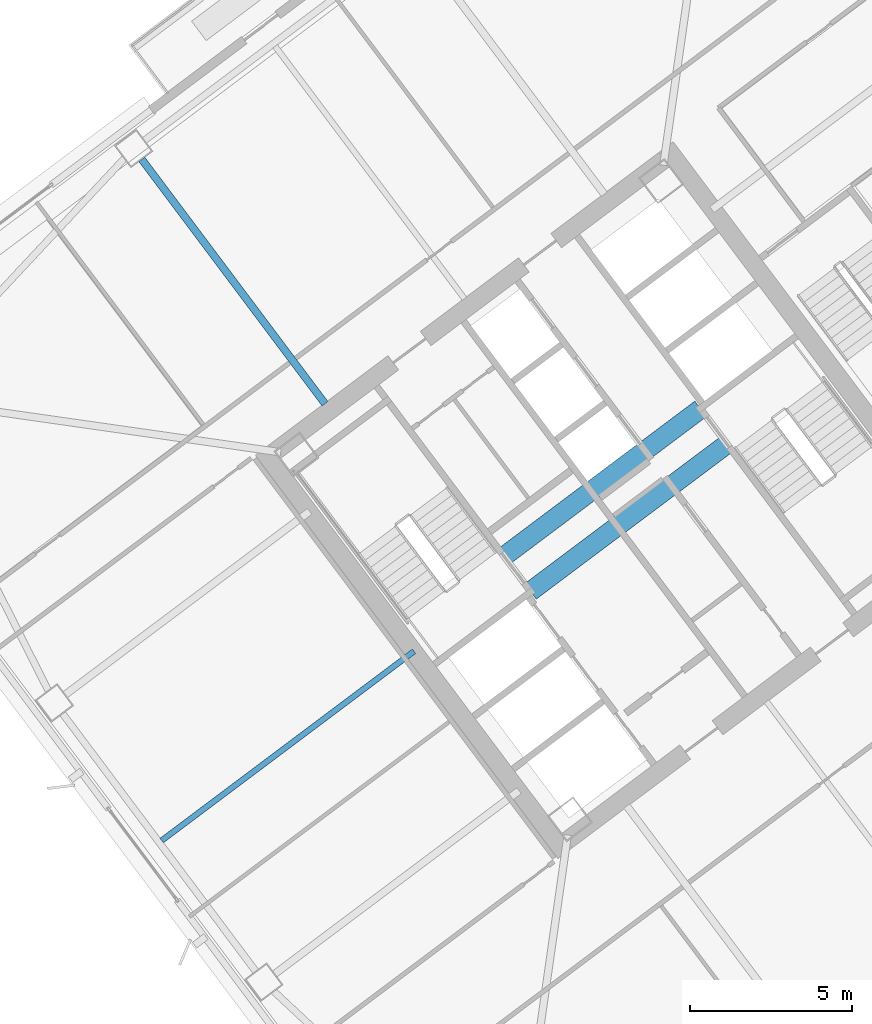
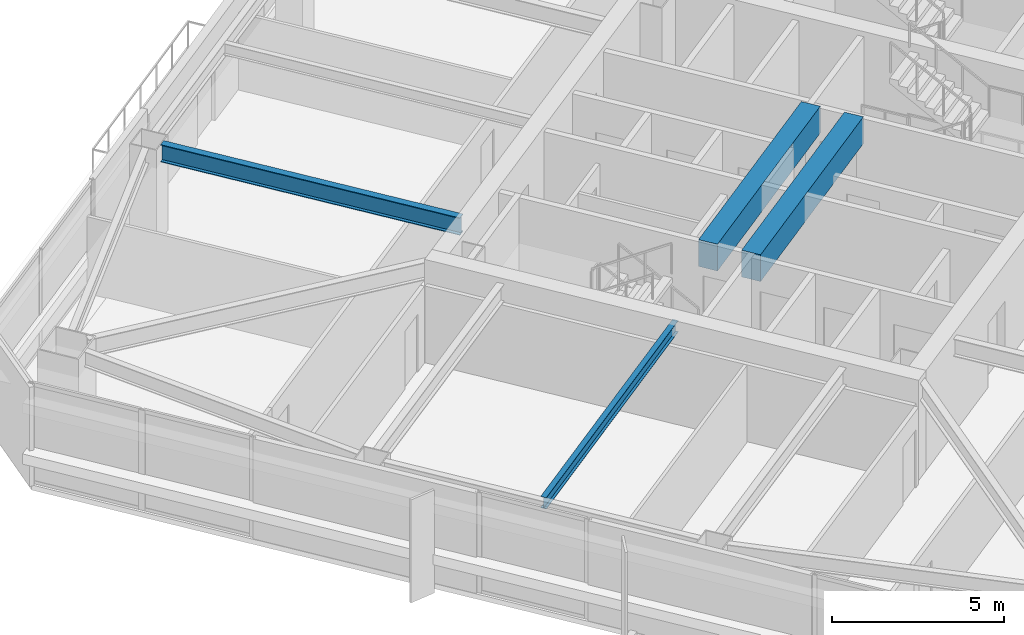
# One storey, part 25 of 48: 4 beams.
"""IFC4 building model written with IfcOpenShell, lengths in metres."""

from ifc_helpers import new_model, si_unit, direction, frame, origin, origin_2d, place, context, subcontext, project, spatial, rectangle, i_section, extrude, material, material_profile, profile_set, type_object, element, save


model = new_model("IFC4")

# Units and contexts
model_context = context("Model", 3, precision=1e-05, world=origin(), true_north=direction((0.0, 1.0)))
body_context = subcontext(model_context, "Body", "Model", "MODEL_VIEW")
ifc_project = project(units=[si_unit("LENGTHUNIT", "METRE"), si_unit("AREAUNIT", "SQUARE_METRE"), si_unit("VOLUMEUNIT", "CUBIC_METRE"), si_unit("PLANEANGLEUNIT", "RADIAN"), si_unit("MASSUNIT", "GRAM", prefix="KILO")], contexts=[model_context])

# Site, building, storey
site_placement = place(None, origin())
site = spatial("IfcSite", under=ifc_project, at=site_placement, CompositionType="ELEMENT")
building_placement = place(site_placement, origin())
building = spatial("IfcBuilding", under=site, at=building_placement, Name="Tashvorn Skyway Center", CompositionType="ELEMENT")
storey_placement = place(building_placement, frame((0.0, 0.0, 125.050048828125)))
storey = spatial("IfcBuildingStorey", under=building, at=storey_placement, Name="L33", CompositionType="ELEMENT", Elevation=125.050048828125)

# Beams
ifc_material_1 = material(Name="Steel ASTM A992 Grade 50", Category="steel")
ifc_material_profile_1 = material_profile(ifc_material_1, i_section(OverallWidth=0.22998046875, OverallDepth=0.616943359375, WebThickness=0.01318359375, FlangeThickness=0.022216796875, at=origin_2d()), Name="W24X94")
ifc_profile_set_1 = profile_set([ifc_material_profile_1], Name="Steel ASTM A992 Grade 50")
beam_type_1 = type_object("IfcBeamType", Name="BM-BEAM-W24X94", PredefinedType="BEAM", material=ifc_profile_set_1)
beam_1_placement = place(storey_placement, frame((99.342041015625, 42.5439453125, 3.0615234375), z_axis=(0.599991732772, -0.800006200354, 0.0), x_axis=(0.800006200354, 0.599991732772, 0.0)))
element("IfcBeam", 1, at=beam_1_placement, inside=storey, type_object=beam_type_1, Name="Tower 2 L33 Primary Floor Girder FC-N2", PredefinedType="BEAM", context=body_context, shape_type="SweptSolid", body=[
    extrude(i_section(OverallWidth=0.22998046875, OverallDepth=0.616943359375, WebThickness=0.01318359375, FlangeThickness=0.022216796875, at=origin_2d()), origin(), (0.0, 0.0, 1.0), 9.449951171875),
])
ifc_material_profile_2 = material_profile(ifc_material_1, i_section(OverallWidth=0.177978515625, OverallDepth=0.406005859375, WebThickness=0.0078125, FlangeThickness=0.0126953125, at=origin_2d()), Name="W16X40")
ifc_profile_set_2 = profile_set([ifc_material_profile_2], Name="Steel ASTM A992 Grade 50")
beam_type_2 = type_object("IfcBeamType", Name="BM-JOIST-W16X40", PredefinedType="JOIST", material=ifc_profile_set_2)
beam_2_placement = place(storey_placement, frame((107.76806640625, 27.325927734375, 3.1669921875), z_axis=(-0.800006001881, -0.599991997409, 0.0), x_axis=(0.599991997409, -0.800006001881, 0.0)))
element("IfcBeam", 2, at=beam_2_placement, inside=storey, type_object=beam_type_2, Name="Tower 2 L33 Secondary Composite Joist JW", PredefinedType="JOIST", context=body_context, shape_type="SweptSolid", body=[
    extrude(i_section(OverallWidth=0.177978515625, OverallDepth=0.406005859375, WebThickness=0.0078125, FlangeThickness=0.0126953125, at=origin_2d()), origin(), (0.0, 0.0, 1.0), 9.762451171875),
])
ifc_material_2 = material(Name="Concrete C60/75", Category="concrete")
ifc_material_profile_3 = material_profile(ifc_material_2, rectangle(XDim=0.60009765625, YDim=0.949951171875, at=origin_2d()), Name="RCB600x950")
ifc_profile_set_3 = profile_set([ifc_material_profile_3], Name="Concrete C60/75")
beam_type_3 = type_object("IfcBeamType", Name="BM-LINTEL-RCB600x950", PredefinedType="LINTEL", material=ifc_profile_set_3)
for number, where, z_axis, x_axis, name in (
    (3, (110.552001953125, 30.263916015625, 2.89501953125), (0.8, 0.6, 0.0), (-0.6, 0.8, 0.0), "Tower 2 L33 Core Coupling Beam CN"),
    (4, (111.367919921875, 29.176025390625, 2.89501953125), (0.8, 0.6, 0.0), (-0.6, 0.8, 0.0), "Tower 2 L33 Core Coupling Beam CS"),
):
    element("IfcBeam", number, at=place(storey_placement, frame(where, z_axis=z_axis, x_axis=x_axis)), inside=storey, type_object=beam_type_3, Name=name, PredefinedType="LINTEL", context=body_context, shape_type="SweptSolid", body=[
        extrude(rectangle(XDim=0.60009765625, YDim=0.949951171875, at=origin_2d()), origin(), (0.0, 0.0, 1.0), 7.60009765625),
    ])

save(model, "model.ifc")
